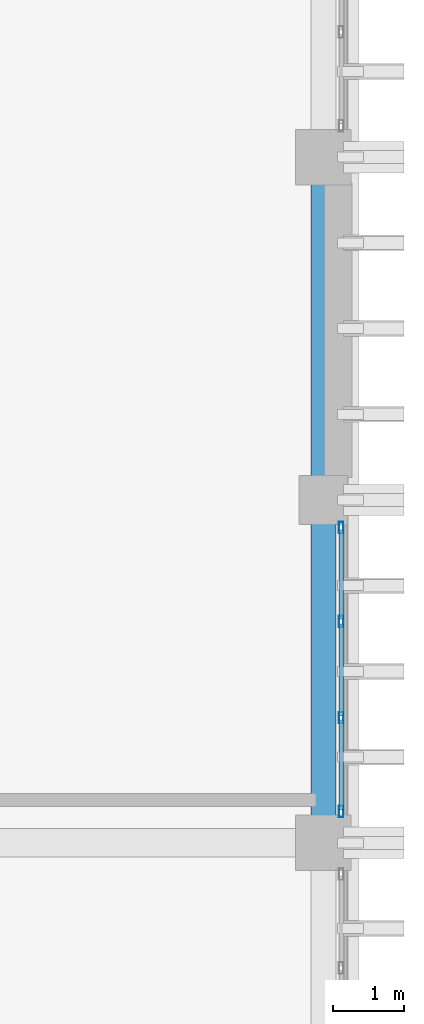
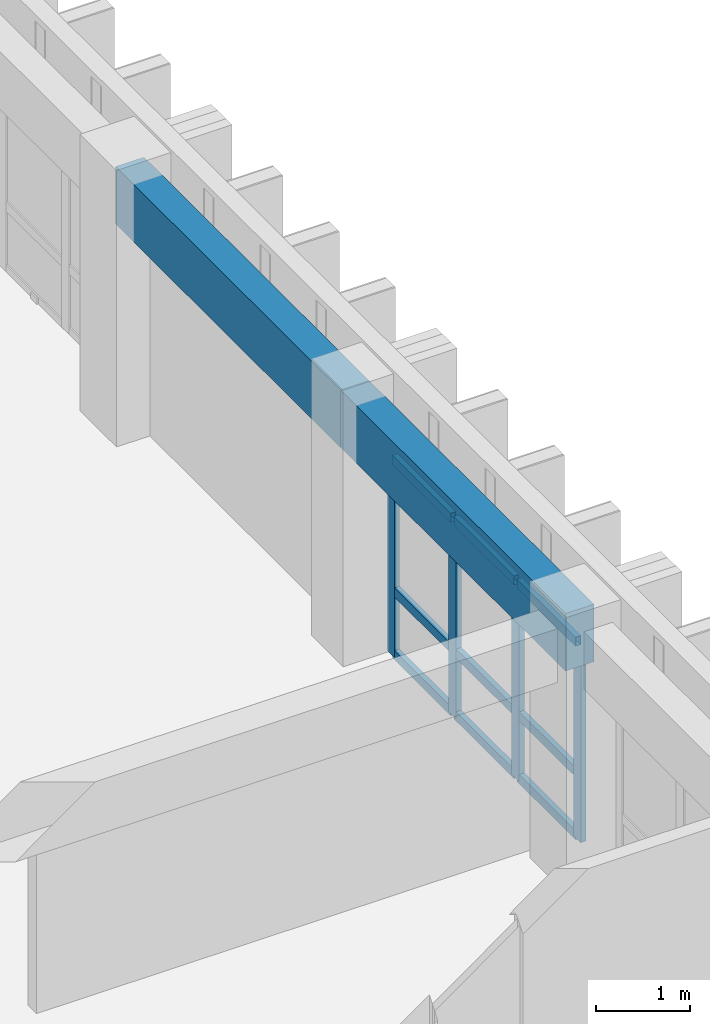
# One storey, part 16 of 68: 13 members, 2 beams, 1 element without a shape of its own.
"""IFC4 building model written with IfcOpenShell, lengths in metres."""

import ifcopenshell
import ifcopenshell.guid

model = None  # the IFC model being written
_history = None  # IfcOwnerHistory: only IFC2X3 demands one
_inside = {}  # id of a spatial element -> (the spatial element, [elements in it])
_under = {}  # id of a project, library or spatial element -> (it, [spatial elements below it])
_declared = {}  # id of a project -> (the project, [libraries it declares])
_typed = {}  # id of a type object -> (the type object, [elements of that type])
_made_of = {}  # id of a material, layer set ... -> (it, [elements and type objects made of it])


def new_model(schema):
    """Start an empty IFC model of exactly this schema.

    Asked for "IFC4X3", IfcOpenShell would pick the latest addendum, in which some entities
    have other attributes; the version numbers below select the first issue.
    IFC2X3 requires an IfcOwnerHistory on every rooted entity: one is made here for all.
    """
    global model, _history
    if schema == "IFC4X3":
        model = ifcopenshell.file(schema_version=(4, 3, 0, 0))
    else:
        model = ifcopenshell.file(schema=schema)
    _inside.clear()
    _under.clear()
    _declared.clear()
    _typed.clear()
    _made_of.clear()
    _history = None
    if model.schema == "IFC2X3":
        org = make("IfcOrganization", Name="unknown")
        user = make(
            "IfcPersonAndOrganization",
            ThePerson=make("IfcPerson", FamilyName="unknown"),
            TheOrganization=org,
        )
        app = make(
            "IfcApplication",
            ApplicationDeveloper=org,
            Version="unknown",
            ApplicationFullName="unknown",
            ApplicationIdentifier="unknown",
        )
        _history = make(
            "IfcOwnerHistory",
            OwningUser=user,
            OwningApplication=app,
            ChangeAction="ADDED",
            CreationDate=0,
        )
    return model


def make(cls, **values):
    """One entity of the class cls with the attributes given. An attribute that is None is left unset."""
    return model.create_entity(
        cls, **{name: value for name, value in values.items() if value is not None}
    )


def rooted(cls, **values):
    """An entity with a GlobalId (a new one), such as an element, a storey or a relation."""
    return make(cls, GlobalId=ifcopenshell.guid.new(), OwnerHistory=_history, **values)


def si_unit(unit_type, name, prefix=None):
    """IfcSIUnit, for example si_unit("LENGTHUNIT", "METRE", prefix="MILLI")."""
    return make("IfcSIUnit", UnitType=unit_type, Prefix=prefix, Name=name)


def assignment(units):
    """IfcUnitAssignment: the units of a project."""
    return None if units is None else make("IfcUnitAssignment", Units=units)


def point(xyz):
    """IfcCartesianPoint."""
    return None if xyz is None else make("IfcCartesianPoint", Coordinates=xyz)


def direction(xyz):
    """IfcDirection."""
    return None if xyz is None else make("IfcDirection", DirectionRatios=xyz)


def frame(location, z_axis=None, x_axis=None):
    """IfcAxis2Placement3D, a coordinate frame: its origin and axes. An axis left out is left unset."""
    return make(
        "IfcAxis2Placement3D",
        Location=point(location),
        Axis=direction(z_axis),
        RefDirection=direction(x_axis),
    )


def frame_2d(location, x_axis=None):
    """IfcAxis2Placement2D, a coordinate frame in the plane: its origin and x axis."""
    return make(
        "IfcAxis2Placement2D", Location=point(location), RefDirection=direction(x_axis)
    )


def origin():
    """The frame at (0, 0, 0) with its axes left unset."""
    return frame((0.0, 0.0, 0.0))


def origin_2d():
    """The frame at (0, 0) in the plane with its x axis left unset."""
    return frame_2d((0.0, 0.0))


def place(relative_to, where):
    """IfcLocalPlacement: puts the frame where relative to a parent placement (None: the world)."""
    return make(
        "IfcLocalPlacement", PlacementRelTo=relative_to, RelativePlacement=where
    )


def context(
    kind, dimensions, precision=None, world=None, true_north=None, identifier=None
):
    """IfcGeometricRepresentationContext, for example the 3D "Model" context."""
    return make(
        "IfcGeometricRepresentationContext",
        ContextIdentifier=identifier,
        ContextType=kind,
        CoordinateSpaceDimension=dimensions,
        Precision=precision,
        WorldCoordinateSystem=world,
        TrueNorth=true_north,
    )


def subcontext(parent, identifier, kind, view, scale=None):
    """IfcGeometricRepresentationSubContext, for example "Body" below "Model"."""
    return make(
        "IfcGeometricRepresentationSubContext",
        ContextIdentifier=identifier,
        ContextType=kind,
        ParentContext=parent,
        TargetScale=scale,
        TargetView=view,
    )


def project(units=None, contexts=None):
    """IfcProject with its units and contexts."""
    return rooted(
        "IfcProject",
        Name="project",
        RepresentationContexts=contexts,
        UnitsInContext=assignment(units),
    )


def spatial(cls, under=None, at=None, **own):
    """A site, building, storey or space (cls), placed at a placement, below another one or the project."""
    s = rooted(cls, ObjectPlacement=at, **own)
    if under is not None:
        _under.setdefault(under.id(), (under, []))[1].append(s)
    return s


def profile(cls, at=None, kind="AREA", **sizes):
    """A parametric profile (cls). Its sizes go by their IFC names, for example OverallWidth=200.0."""
    return make(cls, ProfileType=kind, Position=at, **sizes)


def rectangle(**sizes):
    """IfcRectangleProfileDef."""
    return profile("IfcRectangleProfileDef", **sizes)


def hollow_rectangle(**sizes):
    """IfcRectangleHollowProfileDef."""
    return profile("IfcRectangleHollowProfileDef", **sizes)


def extrude(swept, where, along, depth):
    """IfcExtrudedAreaSolid: the profile swept, set in the frame where, extruded along a direction by depth."""
    return make(
        "IfcExtrudedAreaSolid",
        SweptArea=swept,
        Position=where,
        ExtrudedDirection=direction(along),
        Depth=depth,
    )


def shape(context_of_items, identifier, shape_type, items):
    """IfcShapeRepresentation: the items that make up one representation, for example the "Body"."""
    return make(
        "IfcShapeRepresentation",
        ContextOfItems=context_of_items,
        RepresentationIdentifier=identifier,
        RepresentationType=shape_type,
        Items=items,
    )


def material(Name=None, Category=None):
    """IfcMaterial."""
    return make("IfcMaterial", Name=Name, Category=Category)


def layer(
    of_material, thickness, ventilated=None, Name=None, Category=None, Priority=None
):
    """IfcMaterialLayer: one layer of a wall or slab, of a material (None: an air gap)."""
    return make(
        "IfcMaterialLayer",
        Material=of_material,
        LayerThickness=thickness,
        IsVentilated=ventilated,
        Name=Name,
        Category=Category,
        Priority=Priority,
    )


def layer_set(layers, Name=None):
    """IfcMaterialLayerSet."""
    return make("IfcMaterialLayerSet", MaterialLayers=layers, LayerSetName=Name)


def material_profile(
    of_material, cross_section, Name=None, Category=None, Priority=None
):
    """IfcMaterialProfile: a cross section and its material."""
    return make(
        "IfcMaterialProfile",
        Name=Name,
        Material=of_material,
        Profile=cross_section,
        Priority=Priority,
        Category=Category,
    )


def profile_set(profiles, Name=None, composite=None):
    """IfcMaterialProfileSet."""
    return make(
        "IfcMaterialProfileSet",
        Name=Name,
        MaterialProfiles=profiles,
        CompositeProfile=composite,
    )


def made_of(thing, what):
    """Note that an element or type object is made of a material, layer set ...; save() writes the relation."""
    if what is not None:
        _made_of.setdefault(what.id(), (what, []))[1].append(thing)
    return thing


def type_object(cls, material=None, **own):
    """A type object (cls), such as IfcWallType, which elements share."""
    return made_of(rooted(cls, **own), material)


def element(
    cls,
    number,
    at=None,
    inside=None,
    cuts=None,
    type_object=None,
    material=None,
    context=None,
    identifier="Body",
    shape_type=None,
    held_by="IfcProductDefinitionShape",
    body=None,
    shapes=None,
    **own,
):
    """One element of the class cls, such as IfcWall. Its Tag is "e" and its number.

    at: its placement. inside: the storey or other place that contains it. cuts: it is an
    opening in that element (IfcRelVoidsElement). A single representation is given by context,
    identifier, shape_type and body (its items); several are given by shapes. held_by: the class
    of the entity that holds the representations. save() writes the other relations.
    """
    e = rooted(cls, Tag="e%d" % number, ObjectPlacement=at, **own)
    if body is not None:
        shapes = [shape(context, identifier, shape_type, body)]
    if shapes is not None:
        e.Representation = make(held_by, Representations=shapes)
    if inside is not None:
        _inside.setdefault(inside.id(), (inside, []))[1].append(e)
    if cuts is not None:
        rooted(
            "IfcRelVoidsElement", RelatingBuildingElement=cuts, RelatedOpeningElement=e
        )
    if type_object is not None:
        _typed.setdefault(type_object.id(), (type_object, []))[1].append(e)
    return made_of(e, material)


def aggregate(whole, parts):
    """IfcRelAggregates: a whole, such as a stair, and the parts it consists of."""
    return rooted("IfcRelAggregates", RelatingObject=whole, RelatedObjects=parts)


def save(model, path):
    """Write the relations noted so far, then the file.

    IfcRelAggregates (storeys below a building ...), IfcRelContainedInSpatialStructure (elements
    in a storey), IfcRelDefinesByType, IfcRelAssociatesMaterial and IfcRelDeclares: one each for
    every whole, place, type object, material and project.
    """
    for whole, parts in _under.values():
        aggregate(whole, parts)
    for where, things in _inside.values():
        rooted(
            "IfcRelContainedInSpatialStructure",
            RelatedElements=things,
            RelatingStructure=where,
        )
    for kind, things in _typed.values():
        rooted("IfcRelDefinesByType", RelatedObjects=things, RelatingType=kind)
    for what, things in _made_of.values():
        rooted("IfcRelAssociatesMaterial", RelatedObjects=things, RelatingMaterial=what)
    for by, libraries in _declared.values():
        rooted("IfcRelDeclares", RelatingContext=by, RelatedDefinitions=libraries)
    model.write(path)


model = new_model("IFC4")

# Units and contexts
model_context = context("Model", 3, precision=1e-05, world=origin(), true_north=direction((0.0, 1.0)))
body_context = subcontext(model_context, "Body", "Model", "MODEL_VIEW")
ifc_project = project(units=[si_unit("LENGTHUNIT", "METRE"), si_unit("AREAUNIT", "SQUARE_METRE"), si_unit("VOLUMEUNIT", "CUBIC_METRE"), si_unit("PLANEANGLEUNIT", "RADIAN"), si_unit("MASSUNIT", "GRAM", prefix="KILO")], contexts=[model_context])

# Site, building, storey
site_placement = place(None, origin())
site = spatial("IfcSite", under=ifc_project, at=site_placement, CompositionType="ELEMENT")
building_placement = place(site_placement, origin())
building = spatial("IfcBuilding", under=site, at=building_placement, Name="Nakhvara Creek Congress Hotel", CompositionType="ELEMENT")
storey_placement = place(building_placement, frame((0.0, 0.0, 24.60009765625)))
storey = spatial("IfcBuildingStorey", under=building, at=storey_placement, Name="L05", CompositionType="ELEMENT", Elevation=24.60009765625)

# Beams
ifc_material_1 = material(Name="Concrete C40/50", Category="concrete")
ifc_material_profile_1 = material_profile(ifc_material_1, rectangle(XDim=0.35009765625, YDim=0.75, at=origin_2d()), Name="RC-SPANDREL 350x750", Category="LoadBearing")
ifc_profile_set_1 = profile_set([ifc_material_profile_1], Name="Concrete C40/50")
beam_type = type_object("IfcBeamType", Name="BM-SPN-350X750", PredefinedType="SPANDREL", material=ifc_profile_set_1)
for number, where, z_axis, x_axis, name in (
    (1, (179.35009765625, 48.0, 2.96484375), (0.0, 1.0, 0.0), (-1.0, 0.0, 0.0), "Beam SP1-L05-2151"),
    (2, (179.35009765625, 52.800048828125, 2.96484375), (0.0, 1.0, 0.0), (-1.0, 0.0, 0.0), "Beam SP1-L05-2152"),
):
    element("IfcBeam", number, at=place(storey_placement, frame(where, z_axis=z_axis, x_axis=x_axis)), inside=storey, type_object=beam_type, Name=name, PredefinedType="SPANDREL", context=body_context, shape_type="SweptSolid", body=[
        extrude(rectangle(XDim=0.35009765625, YDim=0.75, at=origin_2d()), origin(), (0.0, 0.0, 1.0), 4.800048828125),
    ])

# Curtain wall, members
ifc_material_2 = material(Name="Bronze-anodised aluminium AW-6063-T6 and double-silver low-E glass", Category="aluminium")
ifc_layer = layer(ifc_material_2, 0.199951171875)
ifc_layer_set = layer_set([ifc_layer], Name="Bronze-anodised aluminium AW-6063-T6 and double-silver low-E glass")
curtain_wall_type = type_object("IfcCurtainWallType", Name="CW-HTL-UNIT", PredefinedType="USERDEFINED", material=ifc_layer_set)
curtain_wall_placement = place(storey_placement, origin())
curtain_wall = element("IfcCurtainWall", 3, at=curtain_wall_placement, inside=storey, type_object=curtain_wall_type, Name="Curtain Wall CW208", ObjectType="UNITISED", PredefinedType="USERDEFINED")
ifc_material_3 = material(Name="Bronze-anodised aluminium AW-6063-T6", Category="aluminium")
ifc_material_profile_2 = material_profile(ifc_material_3, hollow_rectangle(XDim=0.06494140625, YDim=0.159912109375, WallThickness=0.00390625, at=origin_2d()), Name="ALU-MULL 65x160x4", Category="LoadBearing")
ifc_profile_set_2 = profile_set([ifc_material_profile_2], Name="Bronze-anodised aluminium AW-6063-T6")
member_type_1 = type_object("IfcMemberType", Name="CW-MULL-160", PredefinedType="MULLION", material=ifc_profile_set_2)
member_1_placement = place(storey_placement, frame((179.60009765625, 52.41259765625, 0.0), z_axis=(0.0, 0.0, 1.0), x_axis=(1.0, 0.0, 0.0)))
member_1 = element("IfcMember", 4, at=member_1_placement, type_object=member_type_1, Name="CW208 mullion 1", PredefinedType="MULLION", context=body_context, shape_type="SweptSolid", body=[
    extrude(hollow_rectangle(XDim=0.06494140625, YDim=0.159912109375, WallThickness=0.00390625, at=origin_2d()), origin(), (0.0, 0.0, 1.0), 2.581787109375),
])
member_2_placement = place(storey_placement, frame((179.60009765625, 51.098388671875, 0.0), z_axis=(0.0, 0.0, 1.0), x_axis=(1.0, 0.0, 0.0)))
member_2 = element("IfcMember", 5, at=member_2_placement, type_object=member_type_1, Name="CW208 mullion 2", PredefinedType="MULLION", context=body_context, shape_type="SweptSolid", body=[
    extrude(hollow_rectangle(XDim=0.06494140625, YDim=0.159912109375, WallThickness=0.00390625, at=origin_2d()), origin(), (0.0, 0.0, 1.0), 2.581787109375),
])
member_3_placement = place(storey_placement, frame((179.60009765625, 49.751708984375, 0.0), z_axis=(0.0, 0.0, 1.0), x_axis=(1.0, 0.0, 0.0)))
member_3 = element("IfcMember", 6, at=member_3_placement, type_object=member_type_1, Name="CW208 mullion 3", PredefinedType="MULLION", context=body_context, shape_type="SweptSolid", body=[
    extrude(hollow_rectangle(XDim=0.06494140625, YDim=0.159912109375, WallThickness=0.00390625, at=origin_2d()), origin(), (0.0, 0.0, 1.0), 2.581787109375),
])
member_4_placement = place(storey_placement, frame((179.60009765625, 48.4375, 0.0), z_axis=(0.0, 0.0, 1.0), x_axis=(1.0, 0.0, 0.0)))
member_4 = element("IfcMember", 7, at=member_4_placement, type_object=member_type_1, Name="CW208 mullion 4", PredefinedType="MULLION", context=body_context, shape_type="SweptSolid", body=[
    extrude(hollow_rectangle(XDim=0.06494140625, YDim=0.159912109375, WallThickness=0.00390625, at=origin_2d()), origin(), (0.0, 0.0, 1.0), 2.581787109375),
])
ifc_material_profile_3 = material_profile(ifc_material_3, hollow_rectangle(XDim=0.06494140625, YDim=0.1201171875, WallThickness=0.00390625, at=origin_2d()), Name="ALU-TRAN 65x120x4", Category="LoadBearing")
ifc_profile_set_3 = profile_set([ifc_material_profile_3], Name="Bronze-anodised aluminium AW-6063-T6")
member_type_2 = type_object("IfcMemberType", Name="CW-TRAN-120", PredefinedType="USERDEFINED", material=ifc_profile_set_3)
member_5_placement = place(storey_placement, frame((179.60009765625, 52.3798828125, 0.032470703125), z_axis=(0.0, -1.0, 0.0), x_axis=(1.0, 0.0, 0.0)))
member_5 = element("IfcMember", 8, at=member_5_placement, type_object=member_type_2, Name="CW208 transom 1.1", ObjectType="TRANSOM", PredefinedType="USERDEFINED", context=body_context, shape_type="SweptSolid", body=[
    extrude(hollow_rectangle(XDim=0.06494140625, YDim=0.1201171875, WallThickness=0.00390625, at=origin_2d()), origin(), (0.0, 0.0, 1.0), 1.2490234375),
])
member_6_placement = place(storey_placement, frame((179.60009765625, 52.3798828125, 0.849853515625), z_axis=(0.0, -1.0, 0.0), x_axis=(1.0, 0.0, 0.0)))
member_6 = element("IfcMember", 9, at=member_6_placement, type_object=member_type_2, Name="CW208 transom 1.2", ObjectType="TRANSOM", PredefinedType="USERDEFINED", context=body_context, shape_type="SweptSolid", body=[
    extrude(hollow_rectangle(XDim=0.06494140625, YDim=0.1201171875, WallThickness=0.00390625, at=origin_2d()), origin(), (0.0, 0.0, 1.0), 1.2490234375),
])
member_7_placement = place(storey_placement, frame((179.60009765625, 52.3798828125, 2.54931640625), z_axis=(0.0, -1.0, 0.0), x_axis=(1.0, 0.0, 0.0)))
member_7 = element("IfcMember", 10, at=member_7_placement, type_object=member_type_2, Name="CW208 transom 1.3", ObjectType="TRANSOM", PredefinedType="USERDEFINED", context=body_context, shape_type="SweptSolid", body=[
    extrude(hollow_rectangle(XDim=0.06494140625, YDim=0.1201171875, WallThickness=0.00390625, at=origin_2d()), origin(), (0.0, 0.0, 1.0), 1.2490234375),
])
member_8_placement = place(storey_placement, frame((179.60009765625, 51.06591796875, 0.032470703125), z_axis=(0.0, -1.0, 0.0), x_axis=(1.0, 0.0, 0.0)))
member_8 = element("IfcMember", 11, at=member_8_placement, type_object=member_type_2, Name="CW208 transom 2.1", ObjectType="TRANSOM", PredefinedType="USERDEFINED", context=body_context, shape_type="SweptSolid", body=[
    extrude(hollow_rectangle(XDim=0.06494140625, YDim=0.1201171875, WallThickness=0.00390625, at=origin_2d()), origin(), (0.0, 0.0, 1.0), 1.28173828125),
])
member_9_placement = place(storey_placement, frame((179.60009765625, 51.06591796875, 0.849853515625), z_axis=(0.0, -1.0, 0.0), x_axis=(1.0, 0.0, 0.0)))
member_9 = element("IfcMember", 12, at=member_9_placement, type_object=member_type_2, Name="CW208 transom 2.2", ObjectType="TRANSOM", PredefinedType="USERDEFINED", context=body_context, shape_type="SweptSolid", body=[
    extrude(hollow_rectangle(XDim=0.06494140625, YDim=0.1201171875, WallThickness=0.00390625, at=origin_2d()), origin(), (0.0, 0.0, 1.0), 1.28173828125),
])
member_10_placement = place(storey_placement, frame((179.60009765625, 51.06591796875, 2.54931640625), z_axis=(0.0, -1.0, 0.0), x_axis=(1.0, 0.0, 0.0)))
member_10 = element("IfcMember", 13, at=member_10_placement, type_object=member_type_2, Name="CW208 transom 2.3", ObjectType="TRANSOM", PredefinedType="USERDEFINED", context=body_context, shape_type="SweptSolid", body=[
    extrude(hollow_rectangle(XDim=0.06494140625, YDim=0.1201171875, WallThickness=0.00390625, at=origin_2d()), origin(), (0.0, 0.0, 1.0), 1.28173828125),
])
member_11_placement = place(storey_placement, frame((179.60009765625, 49.71923828125, 0.032470703125), z_axis=(0.0, -1.0, 0.0), x_axis=(1.0, 0.0, 0.0)))
member_11 = element("IfcMember", 14, at=member_11_placement, type_object=member_type_2, Name="CW208 transom 3.1", ObjectType="TRANSOM", PredefinedType="USERDEFINED", context=body_context, shape_type="SweptSolid", body=[
    extrude(hollow_rectangle(XDim=0.06494140625, YDim=0.1201171875, WallThickness=0.00390625, at=origin_2d()), origin(), (0.0, 0.0, 1.0), 1.249267578125),
])
member_12_placement = place(storey_placement, frame((179.60009765625, 49.71923828125, 0.849853515625), z_axis=(0.0, -1.0, 0.0), x_axis=(1.0, 0.0, 0.0)))
member_12 = element("IfcMember", 15, at=member_12_placement, type_object=member_type_2, Name="CW208 transom 3.2", ObjectType="TRANSOM", PredefinedType="USERDEFINED", context=body_context, shape_type="SweptSolid", body=[
    extrude(hollow_rectangle(XDim=0.06494140625, YDim=0.1201171875, WallThickness=0.00390625, at=origin_2d()), origin(), (0.0, 0.0, 1.0), 1.249267578125),
])
member_13_placement = place(storey_placement, frame((179.60009765625, 49.71923828125, 2.54931640625), z_axis=(0.0, -1.0, 0.0), x_axis=(1.0, 0.0, 0.0)))
member_13 = element("IfcMember", 16, at=member_13_placement, type_object=member_type_2, Name="CW208 transom 3.3", ObjectType="TRANSOM", PredefinedType="USERDEFINED", context=body_context, shape_type="SweptSolid", body=[
    extrude(hollow_rectangle(XDim=0.06494140625, YDim=0.1201171875, WallThickness=0.00390625, at=origin_2d()), origin(), (0.0, 0.0, 1.0), 1.249267578125),
])
aggregate(curtain_wall, [member_1, member_2, member_3, member_4, member_5, member_6, member_7, member_8, member_9, member_10, member_11, member_12, member_13])

save(model, "model.ifc")
